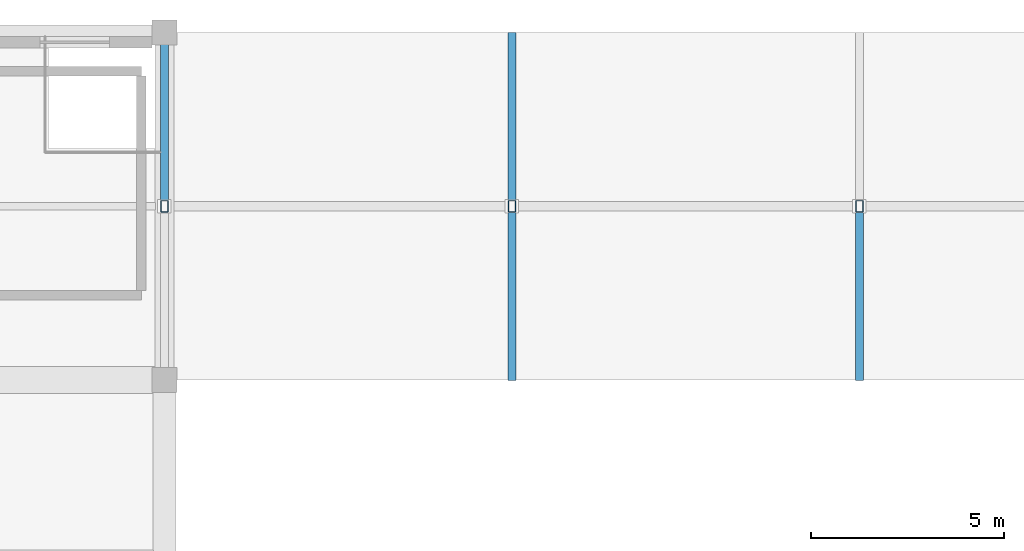
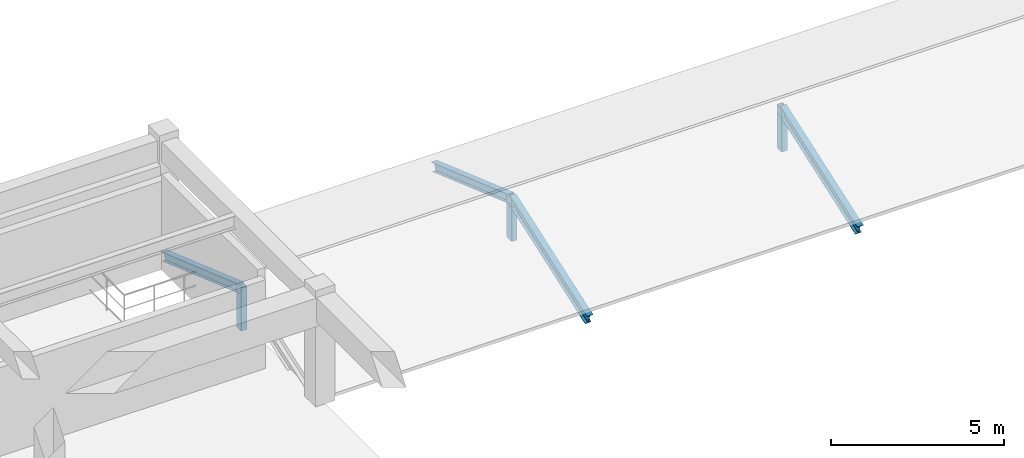
# One storey, part 71 of 110: 7 members.
"""IFC4 building model written with IfcOpenShell, lengths in metres."""

from ifc_helpers import new_model, si_unit, direction, frame, origin, origin_2d, place, context, subcontext, project, spatial, hollow_rectangle, i_section, extrude, material, material_profile, profile_set, type_object, element, save


model = new_model("IFC4")

# Units and contexts
model_context = context("Model", 3, precision=1e-05, world=origin(), true_north=direction((0.0, 1.0)))
body_context = subcontext(model_context, "Body", "Model", "MODEL_VIEW")
ifc_project = project(units=[si_unit("LENGTHUNIT", "METRE"), si_unit("AREAUNIT", "SQUARE_METRE"), si_unit("VOLUMEUNIT", "CUBIC_METRE"), si_unit("PLANEANGLEUNIT", "RADIAN"), si_unit("MASSUNIT", "GRAM", prefix="KILO")], contexts=[model_context])

# Site, building, storey
site_placement = place(None, origin())
site = spatial("IfcSite", under=ifc_project, at=site_placement, CompositionType="ELEMENT")
building_placement = place(site_placement, origin())
building = spatial("IfcBuilding", under=site, at=building_placement, Name="Miravela Opera House", CompositionType="ELEMENT")
storey_placement = place(building_placement, frame((0.0, 0.0, 13.60009765625)))
storey = spatial("IfcBuildingStorey", under=building, at=storey_placement, Name="L03", CompositionType="ELEMENT", Elevation=13.60009765625)

# Members
ifc_material_1 = material(Name="Hollow structural steel ASTM A500 Gr. C", Category="steel")
ifc_material_profile_1 = material_profile(ifc_material_1, hollow_rectangle(XDim=0.199951171875, YDim=0.300048828125, WallThickness=0.011962890625, InnerFilletRadius=0.011962890625, OuterFilletRadius=0.02392578125, at=origin_2d()), Name="HSS300X200X12")
ifc_profile_set_1 = profile_set([ifc_material_profile_1])
member_type_1 = type_object("IfcMemberType", Name="STR-MEM-POST-HSS300X200", PredefinedType="POST", material=ifc_profile_set_1)
for number, where, z_axis, x_axis, name in (
    (1, (117.0, 107.5, -0.25), (0.0, 0.0, 1.0), (1.0, 0.0, 0.0), "Roof Gable King Post ROOF-V3-NE W"),
    (2, (126.0, 107.5, -0.25), (0.0, 0.0, 1.0), (1.0, 0.0, 0.0), "Roof Ridge Support Post ROOF-V3-NE M1"),
    (3, (135.0, 107.5, -0.25), (0.0, 0.0, 1.0), (1.0, 0.0, 0.0), "Roof Ridge Support Post ROOF-V3-NE M2"),
):
    element("IfcMember", number, at=place(storey_placement, frame(where, z_axis=z_axis, x_axis=x_axis)), inside=storey, type_object=member_type_1, Name=name, PredefinedType="POST", context=body_context, shape_type="SweptSolid", body=[
        extrude(hollow_rectangle(XDim=0.199951171875, YDim=0.300048828125, WallThickness=0.011962890625, InnerFilletRadius=0.011962890625, OuterFilletRadius=0.02392578125, at=origin_2d()), origin(), (0.0, 0.0, 1.0), 1.510009765625),
    ])
ifc_material_2 = material(Name="Structural steel ASTM A992 Gr. 50", Category="steel")
ifc_material_profile_2 = material_profile(ifc_material_2, i_section(OverallWidth=0.2041015625, OverallDepth=0.35009765625, WebThickness=0.008544921875, FlangeThickness=0.01513671875, FilletRadius=0.013916015625, at=origin_2d()), Name="W360X72")
ifc_profile_set_2 = profile_set([ifc_material_profile_2])
member_type_2 = type_object("IfcMemberType", Name="STR-MEM-RAFTER-1", PredefinedType="RAFTER", material=ifc_profile_set_2)
for number, where, z_axis, x_axis, name in (
    (4, (126.0, 103.050048828125, -0.400146484375), (0.0, 0.943687918104, 0.3308369889), (-1.0, 0.0, 0.0), "Pitched Roof Rafter ROOF-V3-NE S1"),
    (5, (135.0, 103.050048828125, -0.400146484375), (0.0, 0.943687918104, 0.3308369889), (-1.0, 0.0, 0.0), "Pitched Roof Rafter ROOF-V3-NE S2"),
):
    element("IfcMember", number, at=place(storey_placement, frame(where, z_axis=z_axis, x_axis=x_axis)), inside=storey, type_object=member_type_2, Name=name, PredefinedType="RAFTER", context=body_context, shape_type="SweptSolid", body=[
        extrude(i_section(OverallWidth=0.2041015625, OverallDepth=0.35009765625, WebThickness=0.008544921875, FlangeThickness=0.01513671875, FilletRadius=0.013916015625, at=origin_2d()), origin(), (0.0, 0.0, 1.0), 4.715576171875),
    ])
ifc_material_profile_3 = material_profile(ifc_material_2, i_section(OverallWidth=0.202880859375, OverallDepth=0.302978515625, WebThickness=0.007568359375, FlangeThickness=0.01318359375, FilletRadius=0.012939453125, at=origin_2d()), Name="W310X60")
ifc_profile_set_3 = profile_set([ifc_material_profile_3])
member_type_3 = type_object("IfcMemberType", Name="STR-MEM-RAFTER-2", PredefinedType="RAFTER", material=ifc_profile_set_3)
for number, where, z_axis, x_axis, name in (
    (6, (117.0, 111.949951171875, -0.400146484375), (0.0, -0.943687918104, 0.3308369889), (1.0, 0.0, 0.0), "Pitched Roof Rafter ROOF-V3-NE N0"),
    (7, (126.0, 111.949951171875, -0.400146484375), (0.0, -0.943687918104, 0.3308369889), (1.0, 0.0, 0.0), "Pitched Roof Rafter ROOF-V3-NE N1"),
):
    element("IfcMember", number, at=place(storey_placement, frame(where, z_axis=z_axis, x_axis=x_axis)), inside=storey, type_object=member_type_3, Name=name, PredefinedType="RAFTER", context=body_context, shape_type="SweptSolid", body=[
        extrude(i_section(OverallWidth=0.202880859375, OverallDepth=0.302978515625, WebThickness=0.007568359375, FlangeThickness=0.01318359375, FilletRadius=0.012939453125, at=origin_2d()), origin(), (0.0, 0.0, 1.0), 4.715576171875),
    ])

save(model, "model.ifc")
